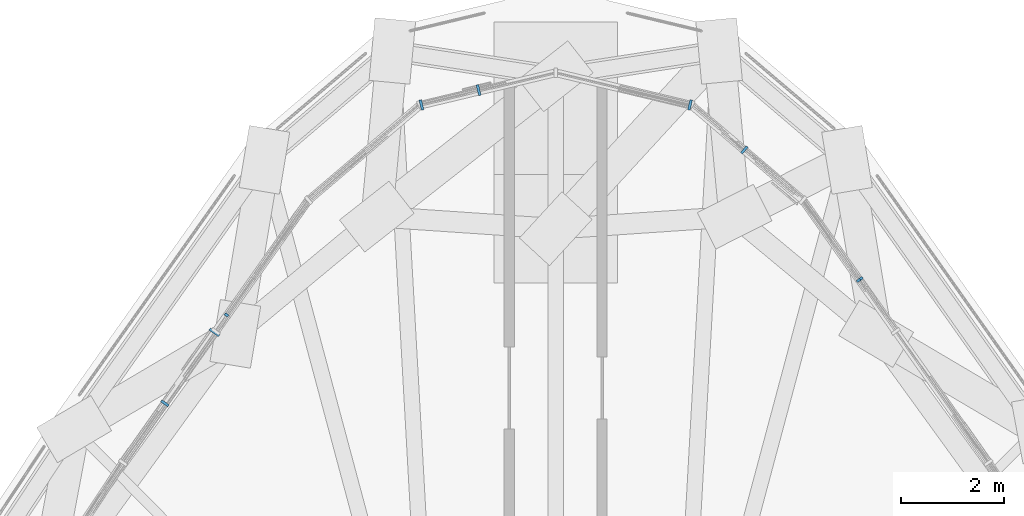
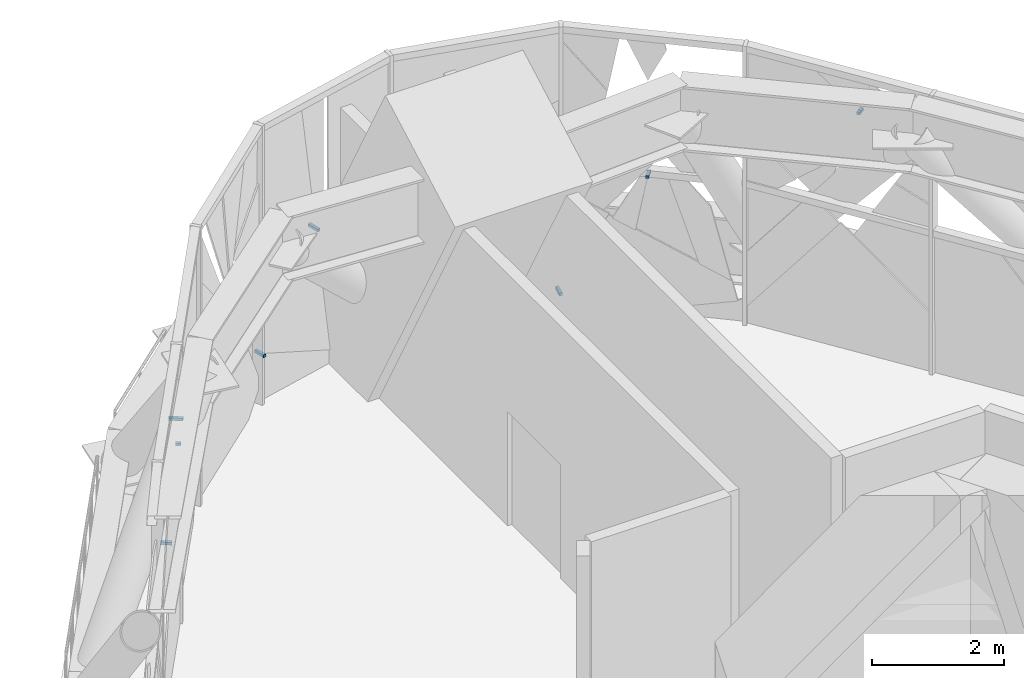
# One storey, part 31 of 35: 9 discrete accessories, 3 elements without a shape of their own.
"""IFC4 building model written with IfcOpenShell, lengths in metres."""

import ifcopenshell
import ifcopenshell.guid

model = None  # the IFC model being written
_history = None  # IfcOwnerHistory: only IFC2X3 demands one
_inside = {}  # id of a spatial element -> (the spatial element, [elements in it])
_under = {}  # id of a project, library or spatial element -> (it, [spatial elements below it])
_declared = {}  # id of a project -> (the project, [libraries it declares])
_typed = {}  # id of a type object -> (the type object, [elements of that type])
_made_of = {}  # id of a material, layer set ... -> (it, [elements and type objects made of it])


def new_model(schema):
    """Start an empty IFC model of exactly this schema.

    Asked for "IFC4X3", IfcOpenShell would pick the latest addendum, in which some entities
    have other attributes; the version numbers below select the first issue.
    IFC2X3 requires an IfcOwnerHistory on every rooted entity: one is made here for all.
    """
    global model, _history
    if schema == "IFC4X3":
        model = ifcopenshell.file(schema_version=(4, 3, 0, 0))
    else:
        model = ifcopenshell.file(schema=schema)
    _inside.clear()
    _under.clear()
    _declared.clear()
    _typed.clear()
    _made_of.clear()
    _history = None
    if model.schema == "IFC2X3":
        org = make("IfcOrganization", Name="unknown")
        user = make(
            "IfcPersonAndOrganization",
            ThePerson=make("IfcPerson", FamilyName="unknown"),
            TheOrganization=org,
        )
        app = make(
            "IfcApplication",
            ApplicationDeveloper=org,
            Version="unknown",
            ApplicationFullName="unknown",
            ApplicationIdentifier="unknown",
        )
        _history = make(
            "IfcOwnerHistory",
            OwningUser=user,
            OwningApplication=app,
            ChangeAction="ADDED",
            CreationDate=0,
        )
    return model


def make(cls, **values):
    """One entity of the class cls with the attributes given. An attribute that is None is left unset."""
    return model.create_entity(
        cls, **{name: value for name, value in values.items() if value is not None}
    )


def rooted(cls, **values):
    """An entity with a GlobalId (a new one), such as an element, a storey or a relation."""
    return make(cls, GlobalId=ifcopenshell.guid.new(), OwnerHistory=_history, **values)


def si_unit(unit_type, name, prefix=None):
    """IfcSIUnit, for example si_unit("LENGTHUNIT", "METRE", prefix="MILLI")."""
    return make("IfcSIUnit", UnitType=unit_type, Prefix=prefix, Name=name)


def assignment(units):
    """IfcUnitAssignment: the units of a project."""
    return None if units is None else make("IfcUnitAssignment", Units=units)


def point(xyz):
    """IfcCartesianPoint."""
    return None if xyz is None else make("IfcCartesianPoint", Coordinates=xyz)


def direction(xyz):
    """IfcDirection."""
    return None if xyz is None else make("IfcDirection", DirectionRatios=xyz)


def frame(location, z_axis=None, x_axis=None):
    """IfcAxis2Placement3D, a coordinate frame: its origin and axes. An axis left out is left unset."""
    return make(
        "IfcAxis2Placement3D",
        Location=point(location),
        Axis=direction(z_axis),
        RefDirection=direction(x_axis),
    )


def frame_2d(location, x_axis=None):
    """IfcAxis2Placement2D, a coordinate frame in the plane: its origin and x axis."""
    return make(
        "IfcAxis2Placement2D", Location=point(location), RefDirection=direction(x_axis)
    )


def origin():
    """The frame at (0, 0, 0) with its axes left unset."""
    return frame((0.0, 0.0, 0.0))


def origin_2d():
    """The frame at (0, 0) in the plane with its x axis left unset."""
    return frame_2d((0.0, 0.0))


def place(relative_to, where):
    """IfcLocalPlacement: puts the frame where relative to a parent placement (None: the world)."""
    return make(
        "IfcLocalPlacement", PlacementRelTo=relative_to, RelativePlacement=where
    )


def context(
    kind, dimensions, precision=None, world=None, true_north=None, identifier=None
):
    """IfcGeometricRepresentationContext, for example the 3D "Model" context."""
    return make(
        "IfcGeometricRepresentationContext",
        ContextIdentifier=identifier,
        ContextType=kind,
        CoordinateSpaceDimension=dimensions,
        Precision=precision,
        WorldCoordinateSystem=world,
        TrueNorth=true_north,
    )


def subcontext(parent, identifier, kind, view, scale=None):
    """IfcGeometricRepresentationSubContext, for example "Body" below "Model"."""
    return make(
        "IfcGeometricRepresentationSubContext",
        ContextIdentifier=identifier,
        ContextType=kind,
        ParentContext=parent,
        TargetScale=scale,
        TargetView=view,
    )


def project(units=None, contexts=None):
    """IfcProject with its units and contexts."""
    return rooted(
        "IfcProject",
        Name="project",
        RepresentationContexts=contexts,
        UnitsInContext=assignment(units),
    )


def spatial(cls, under=None, at=None, **own):
    """A site, building, storey or space (cls), placed at a placement, below another one or the project."""
    s = rooted(cls, ObjectPlacement=at, **own)
    if under is not None:
        _under.setdefault(under.id(), (under, []))[1].append(s)
    return s


def profile(cls, at=None, kind="AREA", **sizes):
    """A parametric profile (cls). Its sizes go by their IFC names, for example OverallWidth=200.0."""
    return make(cls, ProfileType=kind, Position=at, **sizes)


def rectangle(**sizes):
    """IfcRectangleProfileDef."""
    return profile("IfcRectangleProfileDef", **sizes)


def extrude(swept, where, along, depth):
    """IfcExtrudedAreaSolid: the profile swept, set in the frame where, extruded along a direction by depth."""
    return make(
        "IfcExtrudedAreaSolid",
        SweptArea=swept,
        Position=where,
        ExtrudedDirection=direction(along),
        Depth=depth,
    )


def shape(context_of_items, identifier, shape_type, items):
    """IfcShapeRepresentation: the items that make up one representation, for example the "Body"."""
    return make(
        "IfcShapeRepresentation",
        ContextOfItems=context_of_items,
        RepresentationIdentifier=identifier,
        RepresentationType=shape_type,
        Items=items,
    )


def material(Name=None, Category=None):
    """IfcMaterial."""
    return make("IfcMaterial", Name=Name, Category=Category)


def layer(
    of_material, thickness, ventilated=None, Name=None, Category=None, Priority=None
):
    """IfcMaterialLayer: one layer of a wall or slab, of a material (None: an air gap)."""
    return make(
        "IfcMaterialLayer",
        Material=of_material,
        LayerThickness=thickness,
        IsVentilated=ventilated,
        Name=Name,
        Category=Category,
        Priority=Priority,
    )


def layer_set(layers, Name=None):
    """IfcMaterialLayerSet."""
    return make("IfcMaterialLayerSet", MaterialLayers=layers, LayerSetName=Name)


def made_of(thing, what):
    """Note that an element or type object is made of a material, layer set ...; save() writes the relation."""
    if what is not None:
        _made_of.setdefault(what.id(), (what, []))[1].append(thing)
    return thing


def type_object(cls, material=None, **own):
    """A type object (cls), such as IfcWallType, which elements share."""
    return made_of(rooted(cls, **own), material)


def element(
    cls,
    number,
    at=None,
    inside=None,
    cuts=None,
    type_object=None,
    material=None,
    context=None,
    identifier="Body",
    shape_type=None,
    held_by="IfcProductDefinitionShape",
    body=None,
    shapes=None,
    **own,
):
    """One element of the class cls, such as IfcWall. Its Tag is "e" and its number.

    at: its placement. inside: the storey or other place that contains it. cuts: it is an
    opening in that element (IfcRelVoidsElement). A single representation is given by context,
    identifier, shape_type and body (its items); several are given by shapes. held_by: the class
    of the entity that holds the representations. save() writes the other relations.
    """
    e = rooted(cls, Tag="e%d" % number, ObjectPlacement=at, **own)
    if body is not None:
        shapes = [shape(context, identifier, shape_type, body)]
    if shapes is not None:
        e.Representation = make(held_by, Representations=shapes)
    if inside is not None:
        _inside.setdefault(inside.id(), (inside, []))[1].append(e)
    if cuts is not None:
        rooted(
            "IfcRelVoidsElement", RelatingBuildingElement=cuts, RelatedOpeningElement=e
        )
    if type_object is not None:
        _typed.setdefault(type_object.id(), (type_object, []))[1].append(e)
    return made_of(e, material)


def aggregate(whole, parts):
    """IfcRelAggregates: a whole, such as a stair, and the parts it consists of."""
    return rooted("IfcRelAggregates", RelatingObject=whole, RelatedObjects=parts)


def save(model, path):
    """Write the relations noted so far, then the file.

    IfcRelAggregates (storeys below a building ...), IfcRelContainedInSpatialStructure (elements
    in a storey), IfcRelDefinesByType, IfcRelAssociatesMaterial and IfcRelDeclares: one each for
    every whole, place, type object, material and project.
    """
    for whole, parts in _under.values():
        aggregate(whole, parts)
    for where, things in _inside.values():
        rooted(
            "IfcRelContainedInSpatialStructure",
            RelatedElements=things,
            RelatingStructure=where,
        )
    for kind, things in _typed.values():
        rooted("IfcRelDefinesByType", RelatedObjects=things, RelatingType=kind)
    for what, things in _made_of.values():
        rooted("IfcRelAssociatesMaterial", RelatedObjects=things, RelatingMaterial=what)
    for by, libraries in _declared.values():
        rooted("IfcRelDeclares", RelatingContext=by, RelatedDefinitions=libraries)
    model.write(path)


model = new_model("IFC4")

# Units and contexts
model_context = context("Model", 3, precision=1e-05, world=origin(), true_north=direction((0.0, 1.0)))
body_context = subcontext(model_context, "Body", "Model", "MODEL_VIEW")
ifc_project = project(units=[si_unit("LENGTHUNIT", "METRE"), si_unit("AREAUNIT", "SQUARE_METRE"), si_unit("VOLUMEUNIT", "CUBIC_METRE"), si_unit("PLANEANGLEUNIT", "RADIAN"), si_unit("MASSUNIT", "GRAM", prefix="KILO")], contexts=[model_context])

# Site, building, storey
site_placement = place(None, origin())
site = spatial("IfcSite", under=ifc_project, at=site_placement, CompositionType="ELEMENT")
building_placement = place(site_placement, origin())
building = spatial("IfcBuilding", under=site, at=building_placement, Name="Mestral Congress Tower", CompositionType="ELEMENT")
storey_placement = place(building_placement, frame((0.0, 0.0, 196.199951171875)))
storey = spatial("IfcBuildingStorey", under=building, at=storey_placement, Name="L46", CompositionType="ELEMENT", Elevation=196.199951171875)

# Curtain wall, discrete accessories
ifc_material_1 = material(Name="Clear low-emissivity double glazing", Category="glass")
curtain_wall_type = type_object("IfcCurtainWallType", Name="Facade refuge band screen", PredefinedType="USERDEFINED", material=ifc_material_1)
placement = place(storey_placement, origin())
curtain_wall_1 = element("IfcCurtainWall", 1, at=placement, inside=storey, type_object=curtain_wall_type, Name="Facade refuge band screen face 2", ObjectType="CURTAIN WALL", PredefinedType="USERDEFINED")
ifc_material_2 = material(Name="Steel S355", Category="steel")
ifc_layer = layer(ifc_material_2, 0.050048828125)
ifc_layer_set = layer_set([ifc_layer], Name="Steel S355")
discrete_accessory_type = type_object("IfcDiscreteAccessoryType", Name="Facade bracket", PredefinedType="BRACKET", material=ifc_layer_set)
discrete_accessory_1_placement = place(storey_placement, frame((5.876953125, 26.739990234375, 4.41552734375), z_axis=(0.0, 0.0, 1.0), x_axis=(-0.577136638155, 0.816647598967, 0.0)))
discrete_accessory_1 = element("IfcDiscreteAccessory", 2, at=discrete_accessory_1_placement, type_object=discrete_accessory_type, Name="Facade bracket", PredefinedType="BRACKET", context=body_context, shape_type="SweptSolid", body=[
    extrude(rectangle(XDim=0.050537109375, YDim=0.075439453125, at=origin_2d()), origin(), (0.0, 0.0, 1.0), 0.05029296875),
])
discrete_accessory_2_placement = place(storey_placement, frame((5.92529296875, 26.774658203125, 4.416015625), z_axis=(0.0, 0.0, 1.0), x_axis=(-0.577143764728, 0.816642562469, 0.0)))
discrete_accessory_2 = element("IfcDiscreteAccessory", 3, at=discrete_accessory_2_placement, type_object=discrete_accessory_type, Name="Facade bracket", PredefinedType="BRACKET", context=body_context, shape_type="SweptSolid", body=[
    extrude(rectangle(XDim=0.051513671875, YDim=0.0791015625, at=origin_2d()), origin(), (0.0, 0.0, 1.0), 0.050048828125),
])
aggregate(curtain_wall_1, [discrete_accessory_1, discrete_accessory_2])

curtain_wall_2 = element("IfcCurtainWall", 4, at=placement, inside=storey, type_object=curtain_wall_type, Name="Facade refuge band screen face 3", ObjectType="CURTAIN WALL", PredefinedType="USERDEFINED")
discrete_accessory_3_placement = place(storey_placement, frame((-6.3896484375, 26.071044921875, 3.00048828125), z_axis=(0.0, 0.0, 1.0), x_axis=(-0.577065370011, -0.81669796053, 0.0)))
discrete_accessory_3 = element("IfcDiscreteAccessory", 5, at=discrete_accessory_3_placement, type_object=discrete_accessory_type, Name="Facade bracket", PredefinedType="BRACKET", context=body_context, shape_type="SweptSolid", body=[
    extrude(rectangle(XDim=0.050048828125, YDim=0.078857421875, at=origin_2d()), origin(), (0.0, 0.0, 1.0), 0.050048828125),
])
discrete_accessory_4_placement = place(storey_placement, frame((-7.586181640625, 24.35498046875, 2.63525390625), z_axis=(0.0, 0.0, 1.0), x_axis=(-0.577086750915, -0.816682852714, 0.0)))
discrete_accessory_4 = element("IfcDiscreteAccessory", 6, at=discrete_accessory_4_placement, type_object=discrete_accessory_type, Name="Facade bracket", PredefinedType="BRACKET", context=body_context, shape_type="SweptSolid", body=[
    extrude(rectangle(XDim=0.050048828125, YDim=0.169921875, at=origin_2d()), origin(), (0.0, 0.0, 1.0), 0.050048828125),
])
discrete_accessory_5_placement = place(storey_placement, frame((-6.62451171875, 25.73388671875, 3.75439453125), z_axis=(0.0, 0.0, 1.0), x_axis=(-0.577233555778, -0.816579097261, 0.0)))
discrete_accessory_5 = element("IfcDiscreteAccessory", 7, at=discrete_accessory_5_placement, type_object=discrete_accessory_type, Name="Facade bracket", PredefinedType="BRACKET", context=body_context, shape_type="SweptSolid", body=[
    extrude(rectangle(XDim=0.051025390625, YDim=0.223388671875, at=origin_2d()), origin(), (0.0, 0.0, 1.0), 0.050048828125),
])
aggregate(curtain_wall_2, [discrete_accessory_3, discrete_accessory_4, discrete_accessory_5])

curtain_wall_3 = element("IfcCurtainWall", 8, at=placement, inside=storey, type_object=curtain_wall_type, Name="Facade refuge band screen corner 2", ObjectType="CURTAIN WALL", PredefinedType="USERDEFINED")
discrete_accessory_6_placement = place(storey_placement, frame((2.6064453125, 30.1474609375, 0.2001953125), z_axis=(0.0, 0.0, 1.0), x_axis=(-0.972499742731, 0.232903950995, 0.0)))
discrete_accessory_6 = element("IfcDiscreteAccessory", 9, at=discrete_accessory_6_placement, type_object=discrete_accessory_type, Name="Facade bracket", PredefinedType="BRACKET", context=body_context, shape_type="SweptSolid", body=[
    extrude(rectangle(XDim=0.050048828125, YDim=0.199951171875, at=origin_2d()), origin(), (0.0, 0.0, 1.0), 0.050048828125),
])
discrete_accessory_7_placement = place(storey_placement, frame((3.66015625, 29.273681640625, 2.51513671875), z_axis=(0.0, 0.0, 1.0), x_axis=(-0.761289391227, 0.648412262997, 0.0)))
discrete_accessory_7 = element("IfcDiscreteAccessory", 10, at=discrete_accessory_7_placement, type_object=discrete_accessory_type, Name="Facade bracket", PredefinedType="BRACKET", context=body_context, shape_type="SweptSolid", body=[
    extrude(rectangle(XDim=0.050048828125, YDim=0.170166015625, at=origin_2d()), origin(), (0.0, 0.0, 1.0), 0.050048828125),
])
discrete_accessory_8_placement = place(storey_placement, frame((-2.6064453125, 30.1474609375, 0.873046875), z_axis=(0.0, 0.0, 1.0), x_axis=(-0.972491612257, -0.232937897498, 0.0)))
discrete_accessory_8 = element("IfcDiscreteAccessory", 11, at=discrete_accessory_8_placement, type_object=discrete_accessory_type, Name="Facade bracket", PredefinedType="BRACKET", context=body_context, shape_type="SweptSolid", body=[
    extrude(rectangle(XDim=0.050048828125, YDim=0.199951171875, at=origin_2d()), origin(), (0.0, 0.0, 1.0), 0.050048828125),
])
discrete_accessory_9_placement = place(storey_placement, frame((-1.496826171875, 30.435302734375, 2.63525390625), z_axis=(0.0, 0.0, 1.0), x_axis=(-0.972460705649, -0.23306689162, 0.0)))
discrete_accessory_9 = element("IfcDiscreteAccessory", 12, at=discrete_accessory_9_placement, type_object=discrete_accessory_type, Name="Facade bracket", PredefinedType="BRACKET", context=body_context, shape_type="SweptSolid", body=[
    extrude(rectangle(XDim=0.050048828125, YDim=0.211669921875, at=origin_2d()), origin(), (0.0, 0.0, 1.0), 0.050048828125),
])
aggregate(curtain_wall_3, [discrete_accessory_6, discrete_accessory_7, discrete_accessory_8, discrete_accessory_9])

save(model, "model.ifc")
